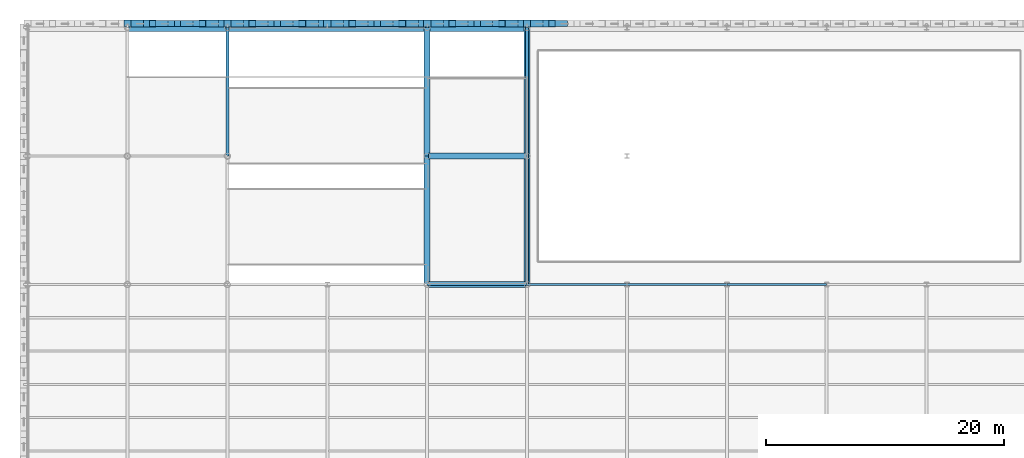
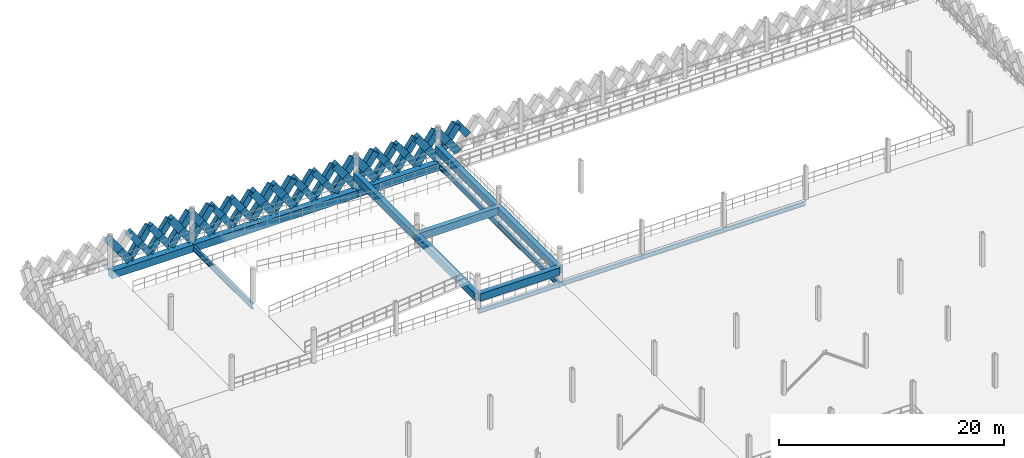
# One storey, part 28 of 74: 51 members, 16 beams.
"""IFC4 building model written with IfcOpenShell, lengths in metres."""

from ifc_helpers import new_model, si_unit, direction, frame, origin, origin_2d, place, context, subcontext, project, spatial, rectangle, i_section, extrude, material, material_profile, profile_set, type_object, element, save


model = new_model("IFC4")

# Units and contexts
model_context = context("Model", 3, precision=1e-05, world=origin(), true_north=direction((0.0, 1.0)))
body_context = subcontext(model_context, "Body", "Model", "MODEL_VIEW")
ifc_project = project(units=[si_unit("LENGTHUNIT", "METRE"), si_unit("AREAUNIT", "SQUARE_METRE"), si_unit("VOLUMEUNIT", "CUBIC_METRE"), si_unit("PLANEANGLEUNIT", "RADIAN"), si_unit("MASSUNIT", "GRAM", prefix="KILO"), si_unit("THERMODYNAMICTEMPERATUREUNIT", "KELVIN"), si_unit("POWERUNIT", "WATT")], contexts=[model_context])

# Site, building, storey
site_placement = place(None, origin())
site = spatial("IfcSite", under=ifc_project, at=site_placement, CompositionType="ELEMENT")
building_placement = place(site_placement, origin())
building = spatial("IfcBuilding", under=site, at=building_placement, Name="Tembeka Court Mobility Hub", CompositionType="ELEMENT")
storey_placement = place(building_placement, frame((0.0, 0.0, 12.60009765625)))
storey = spatial("IfcBuildingStorey", under=building, at=storey_placement, Name="L03", CompositionType="ELEMENT", Elevation=12.60009765625)

# Beams
ifc_material_1 = material(Name="Steel S355", Category="steel")
ifc_material_profile_1 = material_profile(ifc_material_1, i_section(OverallWidth=0.18994140625, OverallDepth=0.45703125, WebThickness=0.009033203125, FlangeThickness=0.014404296875, FilletRadius=0.01025390625, at=origin_2d()), Name="UKB 457x191x74")
ifc_profile_set_1 = profile_set([ifc_material_profile_1], Name="Steel S355")
beam_type_1 = type_object("IfcBeamType", Name="BM-B01", PredefinedType="BEAM", material=ifc_profile_set_1)
for number, where, z_axis, x_axis, name in (
    (1, (33.60009765625, 97.199951171875, -0.448486328125), (1.0, 0.0, 0.0), (0.0, 1.0, 0.0), "Beam B01 (BM-L03-X1796)"),
    (2, (42.0, 97.199951171875, -0.448486328125), (1.0, 0.0, 0.0), (0.0, 1.0, 0.0), "Beam B01 (BM-L03-X1797)"),
):
    element("IfcBeam", number, at=place(storey_placement, frame(where, z_axis=z_axis, x_axis=x_axis)), inside=storey, type_object=beam_type_1, Name=name, PredefinedType="BEAM", context=body_context, shape_type="SweptSolid", body=[
        extrude(i_section(OverallWidth=0.18994140625, OverallDepth=0.45703125, WebThickness=0.009033203125, FlangeThickness=0.014404296875, FilletRadius=0.01025390625, at=origin_2d()), origin(), (0.0, 0.0, 1.0), 8.39990234375),
    ])
beam_1_placement = place(storey_placement, frame((50.39990234375, 97.199951171875, -0.448486328125), z_axis=(1.0, 0.0, 0.0), x_axis=(0.0, 1.0, 0.0)))
element("IfcBeam", 3, at=beam_1_placement, inside=storey, type_object=beam_type_1, Name="Beam B01 (BM-L03-X1798)", PredefinedType="BEAM", context=body_context, shape_type="SweptSolid", body=[
    extrude(i_section(OverallWidth=0.18994140625, OverallDepth=0.45703125, WebThickness=0.009033203125, FlangeThickness=0.014404296875, FilletRadius=0.01025390625, at=origin_2d()), origin(), (0.0, 0.0, 1.0), 8.400146484375),
])
beam_2_placement = place(storey_placement, frame((58.800048828125, 97.199951171875, -0.448486328125), z_axis=(1.0, 0.0, 0.0), x_axis=(0.0, 1.0, 0.0)))
element("IfcBeam", 4, at=beam_2_placement, inside=storey, type_object=beam_type_1, Name="Beam B01 (BM-L03-X1799)", PredefinedType="BEAM", context=body_context, shape_type="SweptSolid", body=[
    extrude(i_section(OverallWidth=0.18994140625, OverallDepth=0.45703125, WebThickness=0.009033203125, FlangeThickness=0.014404296875, FilletRadius=0.01025390625, at=origin_2d()), origin(), (0.0, 0.0, 1.0), 8.39990234375),
])
ifc_material_2 = material(Name="Concrete C40/50", Category="concrete")
ifc_material_profile_2 = material_profile(ifc_material_2, rectangle(XDim=0.5, YDim=0.800048828125, at=origin_2d()), Name="RC-BM 500x800")
ifc_profile_set_2 = profile_set([ifc_material_profile_2], Name="Concrete C40/50")
beam_type_2 = type_object("IfcBeamType", Name="BM-B05", PredefinedType="BEAM", material=ifc_profile_set_2)
for number, where, z_axis, x_axis, name in (
    (5, (33.695068359375, 97.199951171875, 1.14990234375), (1.0, 0.0, 0.0), (0.0, 1.0, 0.0), "Car park vehicle ramp North R1 L03 half-landing tie beam EX1"),
    (6, (33.695068359375, 108.0, 1.14990234375), (1.0, 0.0, 0.0), (0.0, 1.0, 0.0), "Car park vehicle ramp North R1 L03 half-landing tie beam EX2"),
):
    element("IfcBeam", number, at=place(storey_placement, frame(where, z_axis=z_axis, x_axis=x_axis)), inside=storey, type_object=beam_type_2, Name=name, PredefinedType="BEAM", context=body_context, shape_type="SweptSolid", body=[
        extrude(rectangle(XDim=0.5, YDim=0.800048828125, at=origin_2d()), origin(), (0.0, 0.0, 1.0), 8.2099609375),
    ])
for number, where, z_axis, x_axis, name in (
    (7, (33.60009765625, 97.199951171875, 1.14990234375), (0.0, 1.0, 0.0), (-1.0, 0.0, 0.0), "Car park vehicle ramp North R1 L03 half-landing beam EM1"),
    (8, (33.60009765625, 108.0, 1.14990234375), (0.0, 1.0, 0.0), (-1.0, 0.0, 0.0), "Car park vehicle ramp North R1 L03 half-landing beam EM2"),
    (9, (42.0, 97.199951171875, 1.14990234375), (0.0, 1.0, 0.0), (-1.0, 0.0, 0.0), "Car park vehicle ramp North R1 L03 half-landing beam EE1"),
    (10, (42.0, 108.0, 1.14990234375), (0.0, 1.0, 0.0), (-1.0, 0.0, 0.0), "Car park vehicle ramp North R1 L03 half-landing beam EE2"),
):
    element("IfcBeam", number, at=place(storey_placement, frame(where, z_axis=z_axis, x_axis=x_axis)), inside=storey, type_object=beam_type_2, Name=name, PredefinedType="BEAM", context=body_context, shape_type="SweptSolid", body=[
        extrude(rectangle(XDim=0.5, YDim=0.800048828125, at=origin_2d()), origin(), (0.0, 0.0, 1.0), 10.800048828125),
    ])
ifc_material_profile_3 = material_profile(ifc_material_1, i_section(OverallWidth=0.22900390625, OverallDepth=0.612060546875, WebThickness=0.011962890625, FlangeThickness=0.01953125, FilletRadius=0.0126953125, at=origin_2d()), Name="UKB 610x229x125")
ifc_profile_set_3 = profile_set([ifc_material_profile_3], Name="Steel S355")
beam_type_3 = type_object("IfcBeamType", Name="BM-G02", PredefinedType="USERDEFINED", material=ifc_profile_set_3)
for number, where, z_axis, x_axis, name in (
    (11, (16.800048828125, 108.0, -0.55615234375), (0.0, 1.0, 0.0), (-1.0, 0.0, 0.0), "Beam G02 (BM-L03-Y1848)"),
    (12, (42.0, 97.199951171875, -0.526123046875), (0.0, 1.0, 0.0), (-1.0, 0.0, 0.0), "Beam G02 (BM-L03-Y1870)"),
    (13, (42.0, 108.0, -0.526123046875), (0.0, 1.0, 0.0), (-1.0, 0.0, 0.0), "Beam G02 (BM-L03-Y1871)"),
):
    element("IfcBeam", number, at=place(storey_placement, frame(where, z_axis=z_axis, x_axis=x_axis)), inside=storey, type_object=beam_type_3, Name=name, ObjectType="GIRDER", PredefinedType="USERDEFINED", context=body_context, shape_type="SweptSolid", body=[
        extrude(i_section(OverallWidth=0.22900390625, OverallDepth=0.612060546875, WebThickness=0.011962890625, FlangeThickness=0.01953125, FilletRadius=0.0126953125, at=origin_2d()), origin(), (0.0, 0.0, 1.0), 10.800048828125),
    ])
ifc_material_3 = material(Name="Precast concrete C45/55", Category="concrete")
ifc_material_profile_4 = material_profile(ifc_material_3, rectangle(XDim=0.64990234375, YDim=0.800048828125, at=origin_2d()), Name="PC-SP 650x800")
ifc_profile_set_4 = profile_set([ifc_material_profile_4], Name="Precast concrete C45/55")
beam_type_4 = type_object("IfcBeamType", Name="BM-SP01", PredefinedType="SPANDREL", material=ifc_profile_set_4)
beam_3_placement = place(storey_placement, frame((8.39990234375, 118.800048828125, -0.6201171875), z_axis=(1.0, 0.0, 0.0), x_axis=(0.0, 1.0, 0.0)))
element("IfcBeam", 14, at=beam_3_placement, inside=storey, type_object=beam_type_4, Name="Beam SP01 (BM-L03-X1807)", PredefinedType="SPANDREL", context=body_context, shape_type="SweptSolid", body=[
    extrude(rectangle(XDim=0.64990234375, YDim=0.800048828125, at=origin_2d()), origin(), (0.0, 0.0, 1.0), 8.400146484375),
])
beam_4_placement = place(storey_placement, frame((16.800048828125, 118.800048828125, -0.6201171875), z_axis=(1.0, 0.0, 0.0), x_axis=(0.0, 1.0, 0.0)))
element("IfcBeam", 15, at=beam_4_placement, inside=storey, type_object=beam_type_4, Name="Beam SP01 (BM-L03-X1808)", PredefinedType="SPANDREL", context=body_context, shape_type="SweptSolid", body=[
    extrude(rectangle(XDim=0.64990234375, YDim=0.800048828125, at=origin_2d()), origin(), (0.0, 0.0, 1.0), 16.800048828125),
])
beam_5_placement = place(storey_placement, frame((33.60009765625, 118.800048828125, -0.6201171875), z_axis=(1.0, 0.0, 0.0), x_axis=(0.0, 1.0, 0.0)))
element("IfcBeam", 16, at=beam_5_placement, inside=storey, type_object=beam_type_4, Name="Beam SP01 (BM-L03-X1809)", PredefinedType="SPANDREL", context=body_context, shape_type="SweptSolid", body=[
    extrude(rectangle(XDim=0.64990234375, YDim=0.800048828125, at=origin_2d()), origin(), (0.0, 0.0, 1.0), 8.39990234375),
])

# Members
ifc_material_profile_5 = material_profile(ifc_material_3, rectangle(XDim=0.5, YDim=0.64990234375, at=origin_2d()), Name="PC-DIAG 500x650")
ifc_profile_set_5 = profile_set([ifc_material_profile_5], Name="Precast concrete C45/55")
member_type_1 = type_object("IfcMemberType", Name="MEM-DL01", PredefinedType="BRACE", material=ifc_profile_set_5)
member_1_placement = place(storey_placement, frame((10.5, 119.139892578125, 0.02001953125), z_axis=(0.582576362011, 0.0, 0.812775973086), x_axis=(0.0, 1.0, 0.0)))
element("IfcMember", 17, at=member_1_placement, inside=storey, type_object=member_type_1, Name="Precast diamond lattice continuous strand DL01 (L03-438A)", PredefinedType="BRACE", context=body_context, shape_type="SweptSolid", body=[
    extrude(rectangle(XDim=0.5, YDim=0.64990234375, at=origin_2d()), origin(), (0.0, 0.0, 1.0), 3.604736328125),
])
member_2_placement = place(storey_placement, frame((12.60009765625, 119.139892578125, 0.02001953125), z_axis=(-0.582608431711, 0.0, 0.812752985414), x_axis=(0.0, -1.0, 0.0)))
element("IfcMember", 18, at=member_2_placement, inside=storey, type_object=member_type_1, Name="Precast diamond lattice split lower strand DL01 (L03-438B1)", PredefinedType="BRACE", context=body_context, shape_type="SweptSolid", body=[
    extrude(rectangle(XDim=0.5, YDim=0.64990234375, at=origin_2d()), origin(), (0.0, 0.0, 1.0), 1.80224609375),
])
member_3_placement = place(storey_placement, frame((11.550048828125, 119.139892578125, 1.48486328125), z_axis=(-0.582544294934, 0.0, 0.812798956963), x_axis=(0.0, -1.0, 0.0)))
element("IfcMember", 19, at=member_3_placement, inside=storey, type_object=member_type_1, Name="Precast diamond lattice split upper strand DL01 (L03-438B2)", PredefinedType="BRACE", context=body_context, shape_type="SweptSolid", body=[
    extrude(rectangle(XDim=0.5, YDim=0.64990234375, at=origin_2d()), origin(), (0.0, 0.0, 1.0), 1.802490234375),
])
member_4_placement = place(storey_placement, frame((12.60009765625, 119.139892578125, 0.02001953125), z_axis=(0.58253161945, 0.0, 0.812808041509), x_axis=(0.0, 1.0, 0.0)))
element("IfcMember", 20, at=member_4_placement, inside=storey, type_object=member_type_1, Name="Precast diamond lattice continuous strand DL01 (L03-439A)", PredefinedType="BRACE", context=body_context, shape_type="SweptSolid", body=[
    extrude(rectangle(XDim=0.5, YDim=0.64990234375, at=origin_2d()), origin(), (0.0, 0.0, 1.0), 3.604736328125),
])
member_5_placement = place(storey_placement, frame((14.699951171875, 119.139892578125, 0.02001953125), z_axis=(-0.582608431711, 0.0, 0.812752985414), x_axis=(0.0, -1.0, 0.0)))
element("IfcMember", 21, at=member_5_placement, inside=storey, type_object=member_type_1, Name="Precast diamond lattice split lower strand DL01 (L03-439B1)", PredefinedType="BRACE", context=body_context, shape_type="SweptSolid", body=[
    extrude(rectangle(XDim=0.5, YDim=0.64990234375, at=origin_2d()), origin(), (0.0, 0.0, 1.0), 1.80224609375),
])
member_6_placement = place(storey_placement, frame((13.64990234375, 119.139892578125, 1.48486328125), z_axis=(-0.582454804382, 0.0, 0.812863088627), x_axis=(0.0, -1.0, 0.0)))
element("IfcMember", 22, at=member_6_placement, inside=storey, type_object=member_type_1, Name="Precast diamond lattice split upper strand DL01 (L03-439B2)", PredefinedType="BRACE", context=body_context, shape_type="SweptSolid", body=[
    extrude(rectangle(XDim=0.5, YDim=0.64990234375, at=origin_2d()), origin(), (0.0, 0.0, 1.0), 1.802490234375),
])
member_7_placement = place(storey_placement, frame((18.89990234375, 119.139892578125, 0.02001953125), z_axis=(0.582576362011, 0.0, 0.812775973086), x_axis=(0.0, 1.0, 0.0)))
element("IfcMember", 23, at=member_7_placement, inside=storey, type_object=member_type_1, Name="Precast diamond lattice continuous strand DL01 (L03-442A)", PredefinedType="BRACE", context=body_context, shape_type="SweptSolid", body=[
    extrude(rectangle(XDim=0.5, YDim=0.64990234375, at=origin_2d()), origin(), (0.0, 0.0, 1.0), 3.604736328125),
])
member_8_placement = place(storey_placement, frame((21.0, 119.139892578125, 0.02001953125), z_axis=(-0.582608431711, 0.0, 0.812752985414), x_axis=(0.0, -1.0, 0.0)))
element("IfcMember", 24, at=member_8_placement, inside=storey, type_object=member_type_1, Name="Precast diamond lattice split lower strand DL01 (L03-442B1)", PredefinedType="BRACE", context=body_context, shape_type="SweptSolid", body=[
    extrude(rectangle(XDim=0.5, YDim=0.64990234375, at=origin_2d()), origin(), (0.0, 0.0, 1.0), 1.80224609375),
])
member_9_placement = place(storey_placement, frame((19.949951171875, 119.139892578125, 1.48486328125), z_axis=(-0.582544294934, 0.0, 0.812798956963), x_axis=(0.0, -1.0, 0.0)))
element("IfcMember", 25, at=member_9_placement, inside=storey, type_object=member_type_1, Name="Precast diamond lattice split upper strand DL01 (L03-442B2)", PredefinedType="BRACE", context=body_context, shape_type="SweptSolid", body=[
    extrude(rectangle(XDim=0.5, YDim=0.64990234375, at=origin_2d()), origin(), (0.0, 0.0, 1.0), 1.802490234375),
])
member_10_placement = place(storey_placement, frame((21.0, 119.139892578125, 0.02001953125), z_axis=(0.582576362011, 0.0, 0.812775973086), x_axis=(0.0, 1.0, 0.0)))
element("IfcMember", 26, at=member_10_placement, inside=storey, type_object=member_type_1, Name="Precast diamond lattice continuous strand DL01 (L03-443A)", PredefinedType="BRACE", context=body_context, shape_type="SweptSolid", body=[
    extrude(rectangle(XDim=0.5, YDim=0.64990234375, at=origin_2d()), origin(), (0.0, 0.0, 1.0), 3.604736328125),
])
member_11_placement = place(storey_placement, frame((23.10009765625, 119.139892578125, 0.02001953125), z_axis=(-0.582608431711, 0.0, 0.812752985414), x_axis=(0.0, -1.0, 0.0)))
element("IfcMember", 27, at=member_11_placement, inside=storey, type_object=member_type_1, Name="Precast diamond lattice split lower strand DL01 (L03-443B1)", PredefinedType="BRACE", context=body_context, shape_type="SweptSolid", body=[
    extrude(rectangle(XDim=0.5, YDim=0.64990234375, at=origin_2d()), origin(), (0.0, 0.0, 1.0), 1.80224609375),
])
member_12_placement = place(storey_placement, frame((22.050048828125, 119.139892578125, 1.48486328125), z_axis=(-0.582544294934, 0.0, 0.812798956963), x_axis=(0.0, -1.0, 0.0)))
element("IfcMember", 28, at=member_12_placement, inside=storey, type_object=member_type_1, Name="Precast diamond lattice split upper strand DL01 (L03-443B2)", PredefinedType="BRACE", context=body_context, shape_type="SweptSolid", body=[
    extrude(rectangle(XDim=0.5, YDim=0.64990234375, at=origin_2d()), origin(), (0.0, 0.0, 1.0), 1.802490234375),
])
member_13_placement = place(storey_placement, frame((27.300048828125, 119.139892578125, 0.02001953125), z_axis=(0.58253161945, 0.0, 0.812808041509), x_axis=(0.0, 1.0, 0.0)))
element("IfcMember", 29, at=member_13_placement, inside=storey, type_object=member_type_1, Name="Precast diamond lattice continuous strand DL01 (L03-446A)", PredefinedType="BRACE", context=body_context, shape_type="SweptSolid", body=[
    extrude(rectangle(XDim=0.5, YDim=0.64990234375, at=origin_2d()), origin(), (0.0, 0.0, 1.0), 3.604736328125),
])
member_14_placement = place(storey_placement, frame((29.39990234375, 119.139892578125, 0.02001953125), z_axis=(-0.582518941428, 0.0, 0.812817127574), x_axis=(0.0, -1.0, 0.0)))
element("IfcMember", 30, at=member_14_placement, inside=storey, type_object=member_type_1, Name="Precast diamond lattice split lower strand DL01 (L03-446B1)", PredefinedType="BRACE", context=body_context, shape_type="SweptSolid", body=[
    extrude(rectangle(XDim=0.5, YDim=0.64990234375, at=origin_2d()), origin(), (0.0, 0.0, 1.0), 1.80224609375),
])
member_15_placement = place(storey_placement, frame((28.35009765625, 119.139892578125, 1.48486328125), z_axis=(-0.582544294934, 0.0, 0.812798956963), x_axis=(0.0, -1.0, 0.0)))
element("IfcMember", 31, at=member_15_placement, inside=storey, type_object=member_type_1, Name="Precast diamond lattice split upper strand DL01 (L03-446B2)", PredefinedType="BRACE", context=body_context, shape_type="SweptSolid", body=[
    extrude(rectangle(XDim=0.5, YDim=0.64990234375, at=origin_2d()), origin(), (0.0, 0.0, 1.0), 1.802490234375),
])
member_16_placement = place(storey_placement, frame((29.39990234375, 119.139892578125, 0.02001953125), z_axis=(0.582576362011, 0.0, 0.812775973086), x_axis=(0.0, 1.0, 0.0)))
element("IfcMember", 32, at=member_16_placement, inside=storey, type_object=member_type_1, Name="Precast diamond lattice continuous strand DL01 (L03-447A)", PredefinedType="BRACE", context=body_context, shape_type="SweptSolid", body=[
    extrude(rectangle(XDim=0.5, YDim=0.64990234375, at=origin_2d()), origin(), (0.0, 0.0, 1.0), 3.604736328125),
])
member_17_placement = place(storey_placement, frame((31.5, 119.139892578125, 0.02001953125), z_axis=(-0.582608431711, 0.0, 0.812752985414), x_axis=(0.0, -1.0, 0.0)))
element("IfcMember", 33, at=member_17_placement, inside=storey, type_object=member_type_1, Name="Precast diamond lattice split lower strand DL01 (L03-447B1)", PredefinedType="BRACE", context=body_context, shape_type="SweptSolid", body=[
    extrude(rectangle(XDim=0.5, YDim=0.64990234375, at=origin_2d()), origin(), (0.0, 0.0, 1.0), 1.80224609375),
])
member_18_placement = place(storey_placement, frame((30.449951171875, 119.139892578125, 1.48486328125), z_axis=(-0.582544294934, 0.0, 0.812798956963), x_axis=(0.0, -1.0, 0.0)))
element("IfcMember", 34, at=member_18_placement, inside=storey, type_object=member_type_1, Name="Precast diamond lattice split upper strand DL01 (L03-447B2)", PredefinedType="BRACE", context=body_context, shape_type="SweptSolid", body=[
    extrude(rectangle(XDim=0.5, YDim=0.64990234375, at=origin_2d()), origin(), (0.0, 0.0, 1.0), 1.802490234375),
])
member_19_placement = place(storey_placement, frame((35.699951171875, 119.139892578125, 0.02001953125), z_axis=(0.582576362011, 0.0, 0.812775973086), x_axis=(0.0, 1.0, 0.0)))
element("IfcMember", 35, at=member_19_placement, inside=storey, type_object=member_type_1, Name="Precast diamond lattice continuous strand DL01 (L03-450A)", PredefinedType="BRACE", context=body_context, shape_type="SweptSolid", body=[
    extrude(rectangle(XDim=0.5, YDim=0.64990234375, at=origin_2d()), origin(), (0.0, 0.0, 1.0), 3.604736328125),
])
member_20_placement = place(storey_placement, frame((37.800048828125, 119.139892578125, 0.02001953125), z_axis=(-0.582608431711, 0.0, 0.812752985414), x_axis=(0.0, -1.0, 0.0)))
element("IfcMember", 36, at=member_20_placement, inside=storey, type_object=member_type_1, Name="Precast diamond lattice split lower strand DL01 (L03-450B1)", PredefinedType="BRACE", context=body_context, shape_type="SweptSolid", body=[
    extrude(rectangle(XDim=0.5, YDim=0.64990234375, at=origin_2d()), origin(), (0.0, 0.0, 1.0), 1.80224609375),
])
member_21_placement = place(storey_placement, frame((36.75, 119.139892578125, 1.48486328125), z_axis=(-0.582544294934, 0.0, 0.812798956963), x_axis=(0.0, -1.0, 0.0)))
element("IfcMember", 37, at=member_21_placement, inside=storey, type_object=member_type_1, Name="Precast diamond lattice split upper strand DL01 (L03-450B2)", PredefinedType="BRACE", context=body_context, shape_type="SweptSolid", body=[
    extrude(rectangle(XDim=0.5, YDim=0.64990234375, at=origin_2d()), origin(), (0.0, 0.0, 1.0), 1.802490234375),
])
member_22_placement = place(storey_placement, frame((37.800048828125, 119.139892578125, 0.02001953125), z_axis=(0.58253161945, 0.0, 0.812808041509), x_axis=(0.0, 1.0, 0.0)))
element("IfcMember", 38, at=member_22_placement, inside=storey, type_object=member_type_1, Name="Precast diamond lattice continuous strand DL01 (L03-451A)", PredefinedType="BRACE", context=body_context, shape_type="SweptSolid", body=[
    extrude(rectangle(XDim=0.5, YDim=0.64990234375, at=origin_2d()), origin(), (0.0, 0.0, 1.0), 3.604736328125),
])
member_23_placement = place(storey_placement, frame((39.89990234375, 119.139892578125, 0.02001953125), z_axis=(-0.582518941428, 0.0, 0.812817127574), x_axis=(0.0, -1.0, 0.0)))
element("IfcMember", 39, at=member_23_placement, inside=storey, type_object=member_type_1, Name="Precast diamond lattice split lower strand DL01 (L03-451B1)", PredefinedType="BRACE", context=body_context, shape_type="SweptSolid", body=[
    extrude(rectangle(XDim=0.5, YDim=0.64990234375, at=origin_2d()), origin(), (0.0, 0.0, 1.0), 1.80224609375),
])
for number, where, z_axis, x_axis, name in (
    (40, (38.85009765625, 119.139892578125, 1.48486328125), (-0.582544294934, 0.0, 0.812798956963), (0.0, -1.0, 0.0), "Precast diamond lattice split upper strand DL01 (L03-451B2)"),
    (41, (45.14990234375, 119.139892578125, 1.48486328125), (-0.582454804382, 0.0, 0.812863088627), (0.0, -1.0, 0.0), "Precast diamond lattice split upper strand DL01 (L03-454B2)"),
):
    element("IfcMember", number, at=place(storey_placement, frame(where, z_axis=z_axis, x_axis=x_axis)), inside=storey, type_object=member_type_1, Name=name, PredefinedType="BRACE", context=body_context, shape_type="SweptSolid", body=[
        extrude(rectangle(XDim=0.5, YDim=0.64990234375, at=origin_2d()), origin(), (0.0, 0.0, 1.0), 1.802490234375),
    ])
ifc_material_profile_6 = material_profile(ifc_material_3, rectangle(XDim=0.60009765625, YDim=0.75, at=origin_2d()), Name="PC-DIAG 600x750")
ifc_profile_set_6 = profile_set([ifc_material_profile_6], Name="Precast concrete C45/55")
member_type_2 = type_object("IfcMemberType", Name="MEM-DL02", PredefinedType="BRACE", material=ifc_profile_set_6)
member_24_placement = place(storey_placement, frame((10.5, 119.139892578125, 0.02001953125), z_axis=(-0.582608431711, 0.0, 0.812752985414), x_axis=(0.0, -1.0, 0.0)))
element("IfcMember", 42, at=member_24_placement, inside=storey, type_object=member_type_2, Name="Precast diamond lattice split lower strand DL02 (L03-437B1)", PredefinedType="BRACE", context=body_context, shape_type="SweptSolid", body=[
    extrude(rectangle(XDim=0.60009765625, YDim=0.75, at=origin_2d()), origin(), (0.0, 0.0, 1.0), 1.80224609375),
])
member_25_placement = place(storey_placement, frame((9.449951171875, 119.139892578125, 1.48486328125), z_axis=(-0.582544294934, 0.0, 0.812798956963), x_axis=(0.0, -1.0, 0.0)))
element("IfcMember", 43, at=member_25_placement, inside=storey, type_object=member_type_2, Name="Precast diamond lattice split upper strand DL02 (L03-437B2)", PredefinedType="BRACE", context=body_context, shape_type="SweptSolid", body=[
    extrude(rectangle(XDim=0.60009765625, YDim=0.75, at=origin_2d()), origin(), (0.0, 0.0, 1.0), 1.802490234375),
])
member_26_placement = place(storey_placement, frame((14.699951171875, 119.139892578125, 0.02001953125), z_axis=(0.582576362011, 0.0, 0.812775973086), x_axis=(0.0, 1.0, 0.0)))
element("IfcMember", 44, at=member_26_placement, inside=storey, type_object=member_type_2, Name="Precast diamond lattice continuous strand DL02 (L03-440A)", PredefinedType="BRACE", context=body_context, shape_type="SweptSolid", body=[
    extrude(rectangle(XDim=0.60009765625, YDim=0.75, at=origin_2d()), origin(), (0.0, 0.0, 1.0), 3.604736328125),
])
member_27_placement = place(storey_placement, frame((16.800048828125, 119.139892578125, 0.02001953125), z_axis=(-0.582608431711, 0.0, 0.812752985414), x_axis=(0.0, -1.0, 0.0)))
element("IfcMember", 45, at=member_27_placement, inside=storey, type_object=member_type_2, Name="Precast diamond lattice split lower strand DL02 (L03-440B1)", PredefinedType="BRACE", context=body_context, shape_type="SweptSolid", body=[
    extrude(rectangle(XDim=0.60009765625, YDim=0.75, at=origin_2d()), origin(), (0.0, 0.0, 1.0), 1.80224609375),
])
member_28_placement = place(storey_placement, frame((15.75, 119.139892578125, 1.48486328125), z_axis=(-0.582544294934, 0.0, 0.812798956963), x_axis=(0.0, -1.0, 0.0)))
element("IfcMember", 46, at=member_28_placement, inside=storey, type_object=member_type_2, Name="Precast diamond lattice split upper strand DL02 (L03-440B2)", PredefinedType="BRACE", context=body_context, shape_type="SweptSolid", body=[
    extrude(rectangle(XDim=0.60009765625, YDim=0.75, at=origin_2d()), origin(), (0.0, 0.0, 1.0), 1.802490234375),
])
member_29_placement = place(storey_placement, frame((16.800048828125, 119.139892578125, 0.02001953125), z_axis=(0.58253161945, 0.0, 0.812808041509), x_axis=(0.0, 1.0, 0.0)))
element("IfcMember", 47, at=member_29_placement, inside=storey, type_object=member_type_2, Name="Precast diamond lattice continuous strand DL02 (L03-441A)", PredefinedType="BRACE", context=body_context, shape_type="SweptSolid", body=[
    extrude(rectangle(XDim=0.60009765625, YDim=0.75, at=origin_2d()), origin(), (0.0, 0.0, 1.0), 3.604736328125),
])
member_30_placement = place(storey_placement, frame((18.89990234375, 119.139892578125, 0.02001953125), z_axis=(-0.582518941428, 0.0, 0.812817127574), x_axis=(0.0, -1.0, 0.0)))
element("IfcMember", 48, at=member_30_placement, inside=storey, type_object=member_type_2, Name="Precast diamond lattice split lower strand DL02 (L03-441B1)", PredefinedType="BRACE", context=body_context, shape_type="SweptSolid", body=[
    extrude(rectangle(XDim=0.60009765625, YDim=0.75, at=origin_2d()), origin(), (0.0, 0.0, 1.0), 1.80224609375),
])
member_31_placement = place(storey_placement, frame((17.85009765625, 119.139892578125, 1.48486328125), z_axis=(-0.582544294934, 0.0, 0.812798956963), x_axis=(0.0, -1.0, 0.0)))
element("IfcMember", 49, at=member_31_placement, inside=storey, type_object=member_type_2, Name="Precast diamond lattice split upper strand DL02 (L03-441B2)", PredefinedType="BRACE", context=body_context, shape_type="SweptSolid", body=[
    extrude(rectangle(XDim=0.60009765625, YDim=0.75, at=origin_2d()), origin(), (0.0, 0.0, 1.0), 1.802490234375),
])
member_32_placement = place(storey_placement, frame((23.10009765625, 119.139892578125, 0.02001953125), z_axis=(0.58253161945, 0.0, 0.812808041509), x_axis=(0.0, 1.0, 0.0)))
element("IfcMember", 50, at=member_32_placement, inside=storey, type_object=member_type_2, Name="Precast diamond lattice continuous strand DL02 (L03-444A)", PredefinedType="BRACE", context=body_context, shape_type="SweptSolid", body=[
    extrude(rectangle(XDim=0.60009765625, YDim=0.75, at=origin_2d()), origin(), (0.0, 0.0, 1.0), 3.604736328125),
])
member_33_placement = place(storey_placement, frame((25.199951171875, 119.139892578125, 0.02001953125), z_axis=(-0.582608431711, 0.0, 0.812752985414), x_axis=(0.0, -1.0, 0.0)))
element("IfcMember", 51, at=member_33_placement, inside=storey, type_object=member_type_2, Name="Precast diamond lattice split lower strand DL02 (L03-444B1)", PredefinedType="BRACE", context=body_context, shape_type="SweptSolid", body=[
    extrude(rectangle(XDim=0.60009765625, YDim=0.75, at=origin_2d()), origin(), (0.0, 0.0, 1.0), 1.80224609375),
])
member_34_placement = place(storey_placement, frame((24.14990234375, 119.139892578125, 1.48486328125), z_axis=(-0.582454804382, 0.0, 0.812863088627), x_axis=(0.0, -1.0, 0.0)))
element("IfcMember", 52, at=member_34_placement, inside=storey, type_object=member_type_2, Name="Precast diamond lattice split upper strand DL02 (L03-444B2)", PredefinedType="BRACE", context=body_context, shape_type="SweptSolid", body=[
    extrude(rectangle(XDim=0.60009765625, YDim=0.75, at=origin_2d()), origin(), (0.0, 0.0, 1.0), 1.802490234375),
])
member_35_placement = place(storey_placement, frame((25.199951171875, 119.139892578125, 0.02001953125), z_axis=(0.582576362011, 0.0, 0.812775973086), x_axis=(0.0, 1.0, 0.0)))
element("IfcMember", 53, at=member_35_placement, inside=storey, type_object=member_type_2, Name="Precast diamond lattice continuous strand DL02 (L03-445A)", PredefinedType="BRACE", context=body_context, shape_type="SweptSolid", body=[
    extrude(rectangle(XDim=0.60009765625, YDim=0.75, at=origin_2d()), origin(), (0.0, 0.0, 1.0), 3.604736328125),
])
member_36_placement = place(storey_placement, frame((27.300048828125, 119.139892578125, 0.02001953125), z_axis=(-0.582608431711, 0.0, 0.812752985414), x_axis=(0.0, -1.0, 0.0)))
element("IfcMember", 54, at=member_36_placement, inside=storey, type_object=member_type_2, Name="Precast diamond lattice split lower strand DL02 (L03-445B1)", PredefinedType="BRACE", context=body_context, shape_type="SweptSolid", body=[
    extrude(rectangle(XDim=0.60009765625, YDim=0.75, at=origin_2d()), origin(), (0.0, 0.0, 1.0), 1.80224609375),
])
member_37_placement = place(storey_placement, frame((26.25, 119.139892578125, 1.48486328125), z_axis=(-0.582544294934, 0.0, 0.812798956963), x_axis=(0.0, -1.0, 0.0)))
element("IfcMember", 55, at=member_37_placement, inside=storey, type_object=member_type_2, Name="Precast diamond lattice split upper strand DL02 (L03-445B2)", PredefinedType="BRACE", context=body_context, shape_type="SweptSolid", body=[
    extrude(rectangle(XDim=0.60009765625, YDim=0.75, at=origin_2d()), origin(), (0.0, 0.0, 1.0), 1.802490234375),
])
member_38_placement = place(storey_placement, frame((31.5, 119.139892578125, 0.02001953125), z_axis=(0.582576362011, 0.0, 0.812775973086), x_axis=(0.0, 1.0, 0.0)))
element("IfcMember", 56, at=member_38_placement, inside=storey, type_object=member_type_2, Name="Precast diamond lattice continuous strand DL02 (L03-448A)", PredefinedType="BRACE", context=body_context, shape_type="SweptSolid", body=[
    extrude(rectangle(XDim=0.60009765625, YDim=0.75, at=origin_2d()), origin(), (0.0, 0.0, 1.0), 3.604736328125),
])
member_39_placement = place(storey_placement, frame((33.60009765625, 119.139892578125, 0.02001953125), z_axis=(-0.582608431711, 0.0, 0.812752985414), x_axis=(0.0, -1.0, 0.0)))
element("IfcMember", 57, at=member_39_placement, inside=storey, type_object=member_type_2, Name="Precast diamond lattice split lower strand DL02 (L03-448B1)", PredefinedType="BRACE", context=body_context, shape_type="SweptSolid", body=[
    extrude(rectangle(XDim=0.60009765625, YDim=0.75, at=origin_2d()), origin(), (0.0, 0.0, 1.0), 1.80224609375),
])
member_40_placement = place(storey_placement, frame((32.550048828125, 119.139892578125, 1.48486328125), z_axis=(-0.582544294934, 0.0, 0.812798956963), x_axis=(0.0, -1.0, 0.0)))
element("IfcMember", 58, at=member_40_placement, inside=storey, type_object=member_type_2, Name="Precast diamond lattice split upper strand DL02 (L03-448B2)", PredefinedType="BRACE", context=body_context, shape_type="SweptSolid", body=[
    extrude(rectangle(XDim=0.60009765625, YDim=0.75, at=origin_2d()), origin(), (0.0, 0.0, 1.0), 1.802490234375),
])
member_41_placement = place(storey_placement, frame((33.60009765625, 119.139892578125, 0.02001953125), z_axis=(0.58253161945, 0.0, 0.812808041509), x_axis=(0.0, 1.0, 0.0)))
element("IfcMember", 59, at=member_41_placement, inside=storey, type_object=member_type_2, Name="Precast diamond lattice continuous strand DL02 (L03-449A)", PredefinedType="BRACE", context=body_context, shape_type="SweptSolid", body=[
    extrude(rectangle(XDim=0.60009765625, YDim=0.75, at=origin_2d()), origin(), (0.0, 0.0, 1.0), 3.604736328125),
])
member_42_placement = place(storey_placement, frame((35.699951171875, 119.139892578125, 0.02001953125), z_axis=(-0.582608431711, 0.0, 0.812752985414), x_axis=(0.0, -1.0, 0.0)))
element("IfcMember", 60, at=member_42_placement, inside=storey, type_object=member_type_2, Name="Precast diamond lattice split lower strand DL02 (L03-449B1)", PredefinedType="BRACE", context=body_context, shape_type="SweptSolid", body=[
    extrude(rectangle(XDim=0.60009765625, YDim=0.75, at=origin_2d()), origin(), (0.0, 0.0, 1.0), 1.80224609375),
])
member_43_placement = place(storey_placement, frame((34.64990234375, 119.139892578125, 1.48486328125), z_axis=(-0.582454804382, 0.0, 0.812863088627), x_axis=(0.0, -1.0, 0.0)))
element("IfcMember", 61, at=member_43_placement, inside=storey, type_object=member_type_2, Name="Precast diamond lattice split upper strand DL02 (L03-449B2)", PredefinedType="BRACE", context=body_context, shape_type="SweptSolid", body=[
    extrude(rectangle(XDim=0.60009765625, YDim=0.75, at=origin_2d()), origin(), (0.0, 0.0, 1.0), 1.802490234375),
])
member_44_placement = place(storey_placement, frame((39.89990234375, 119.139892578125, 0.02001953125), z_axis=(0.582576362011, 0.0, 0.812775973086), x_axis=(0.0, 1.0, 0.0)))
element("IfcMember", 62, at=member_44_placement, inside=storey, type_object=member_type_2, Name="Precast diamond lattice continuous strand DL02 (L03-452A)", PredefinedType="BRACE", context=body_context, shape_type="SweptSolid", body=[
    extrude(rectangle(XDim=0.60009765625, YDim=0.75, at=origin_2d()), origin(), (0.0, 0.0, 1.0), 3.604736328125),
])
member_45_placement = place(storey_placement, frame((42.0, 119.139892578125, 0.02001953125), z_axis=(-0.582608431711, 0.0, 0.812752985414), x_axis=(0.0, -1.0, 0.0)))
element("IfcMember", 63, at=member_45_placement, inside=storey, type_object=member_type_2, Name="Precast diamond lattice split lower strand DL02 (L03-452B1)", PredefinedType="BRACE", context=body_context, shape_type="SweptSolid", body=[
    extrude(rectangle(XDim=0.60009765625, YDim=0.75, at=origin_2d()), origin(), (0.0, 0.0, 1.0), 1.80224609375),
])
member_46_placement = place(storey_placement, frame((40.949951171875, 119.139892578125, 1.48486328125), z_axis=(-0.582544294934, 0.0, 0.812798956963), x_axis=(0.0, -1.0, 0.0)))
element("IfcMember", 64, at=member_46_placement, inside=storey, type_object=member_type_2, Name="Precast diamond lattice split upper strand DL02 (L03-452B2)", PredefinedType="BRACE", context=body_context, shape_type="SweptSolid", body=[
    extrude(rectangle(XDim=0.60009765625, YDim=0.75, at=origin_2d()), origin(), (0.0, 0.0, 1.0), 1.802490234375),
])
member_47_placement = place(storey_placement, frame((42.0, 119.139892578125, 0.02001953125), z_axis=(0.582576362011, 0.0, 0.812775973086), x_axis=(0.0, 1.0, 0.0)))
element("IfcMember", 65, at=member_47_placement, inside=storey, type_object=member_type_2, Name="Precast diamond lattice continuous strand DL02 (L03-453A)", PredefinedType="BRACE", context=body_context, shape_type="SweptSolid", body=[
    extrude(rectangle(XDim=0.60009765625, YDim=0.75, at=origin_2d()), origin(), (0.0, 0.0, 1.0), 3.604736328125),
])
member_48_placement = place(storey_placement, frame((44.10009765625, 119.139892578125, 0.02001953125), z_axis=(-0.582608431711, 0.0, 0.812752985414), x_axis=(0.0, -1.0, 0.0)))
element("IfcMember", 66, at=member_48_placement, inside=storey, type_object=member_type_2, Name="Precast diamond lattice split lower strand DL02 (L03-453B1)", PredefinedType="BRACE", context=body_context, shape_type="SweptSolid", body=[
    extrude(rectangle(XDim=0.60009765625, YDim=0.75, at=origin_2d()), origin(), (0.0, 0.0, 1.0), 1.80224609375),
])
member_49_placement = place(storey_placement, frame((43.050048828125, 119.139892578125, 1.48486328125), z_axis=(-0.582544294934, 0.0, 0.812798956963), x_axis=(0.0, -1.0, 0.0)))
element("IfcMember", 67, at=member_49_placement, inside=storey, type_object=member_type_2, Name="Precast diamond lattice split upper strand DL02 (L03-453B2)", PredefinedType="BRACE", context=body_context, shape_type="SweptSolid", body=[
    extrude(rectangle(XDim=0.60009765625, YDim=0.75, at=origin_2d()), origin(), (0.0, 0.0, 1.0), 1.802490234375),
])

save(model, "model.ifc")
